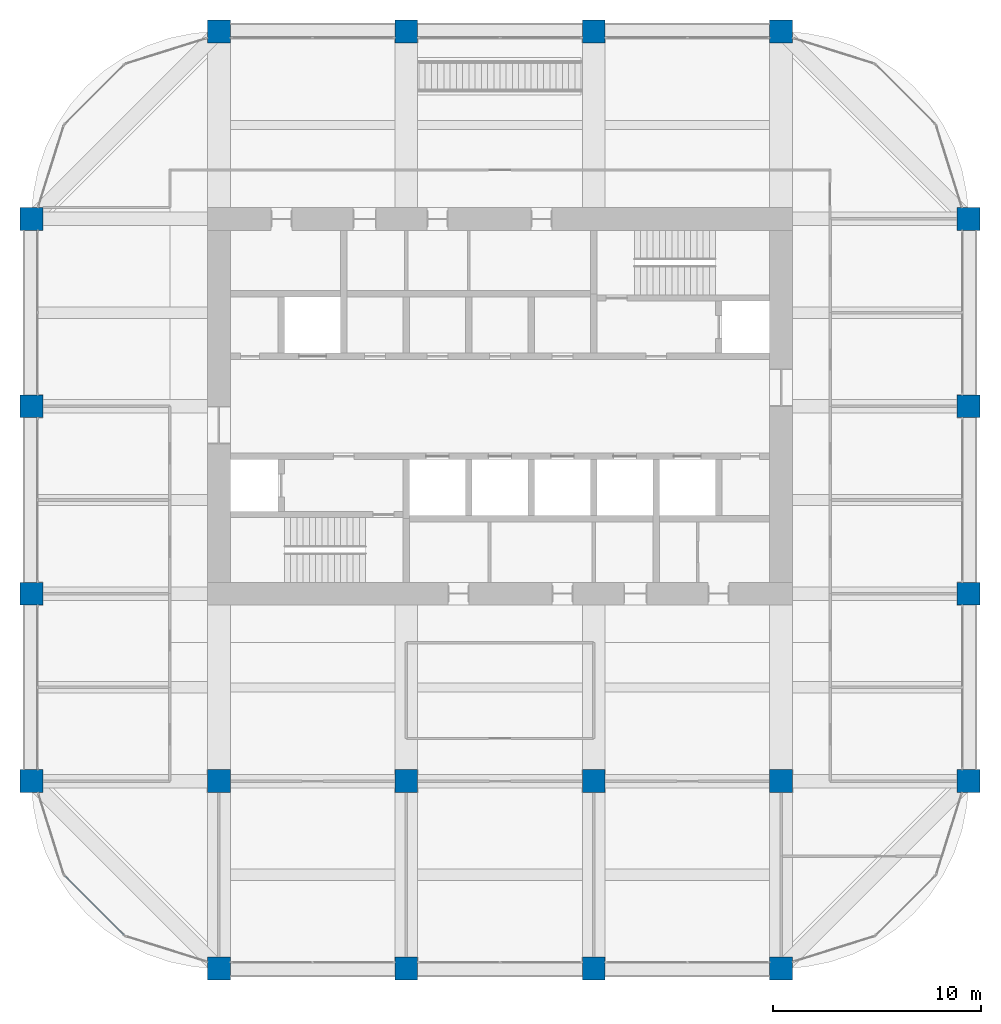
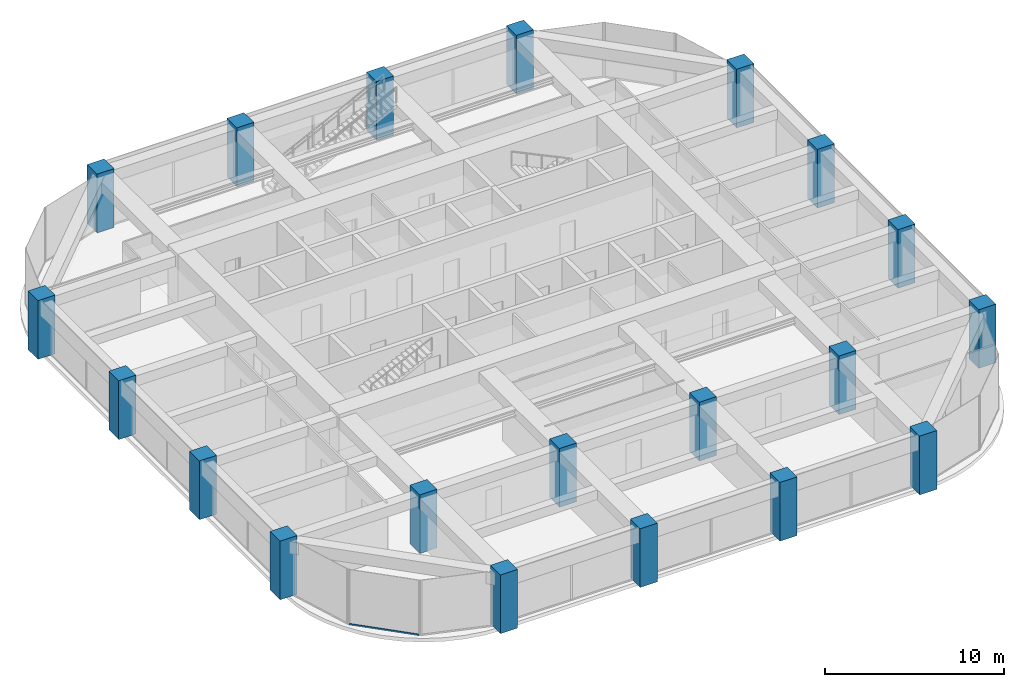
# One storey, part 1 of 45: 20 columns, 1 member, 1 element without a shape of its own.
"""IFC4 building model written with IfcOpenShell, lengths in metres."""

from ifc_helpers import new_model, si_unit, direction, frame, origin, origin_2d, place, context, subcontext, project, spatial, rectangle, hollow_rectangle, extrude, material, material_profile, profile_set, type_object, element, aggregate, save


model = new_model("IFC4")

# Units and contexts
model_context = context("Model", 3, precision=1e-05, world=origin(), true_north=direction((0.0, 1.0)))
body_context = subcontext(model_context, "Body", "Model", "MODEL_VIEW")
ifc_project = project(units=[si_unit("LENGTHUNIT", "METRE"), si_unit("AREAUNIT", "SQUARE_METRE"), si_unit("VOLUMEUNIT", "CUBIC_METRE"), si_unit("PLANEANGLEUNIT", "RADIAN"), si_unit("MASSUNIT", "GRAM", prefix="KILO")], contexts=[model_context])

# Site, building, storey
site_placement = place(None, origin())
site = spatial("IfcSite", under=ifc_project, at=site_placement, CompositionType="ELEMENT")
building_placement = place(site_placement, origin())
building = spatial("IfcBuilding", under=site, at=building_placement, Name="Zorevar Civic Tower", CompositionType="ELEMENT")
storey_placement = place(building_placement, frame((0.0, 0.0, 291.39990234375)))
storey = spatial("IfcBuildingStorey", under=building, at=storey_placement, Name="L71", CompositionType="ELEMENT", Elevation=291.39990234375)

# Columns
ifc_material_1 = material(Name="Concrete C50/60", Category="concrete")
ifc_material_profile_1 = material_profile(ifc_material_1, rectangle(XDim=1.10009765625, YDim=1.10009765625, at=origin_2d()), Name="RC 1100x1100")
ifc_profile_set_1 = profile_set([ifc_material_profile_1], Name="Concrete C50/60")
column_type = type_object("IfcColumnType", Name="Column RC 1100x1100", PredefinedType="COLUMN", material=ifc_profile_set_1)
for number, where, z_axis, x_axis, name in (
    (1, (9.0, 9.0, 0.0), (0.0, 0.0, 1.0), (1.0, 0.0, 0.0), "Column 3B L71"),
    (2, (9.0, 18.0, 0.0), (0.0, 0.0, 1.0), (1.0, 0.0, 0.0), "Column 3C L71"),
    (3, (9.0, 27.0, 0.0), (0.0, 0.0, 1.0), (1.0, 0.0, 0.0), "Column 3D L71"),
    (4, (9.0, 36.0, 0.0), (0.0, 0.0, 1.0), (1.0, 0.0, 0.0), "Column 3E L71"),
    (5, (18.0, 0.0, 0.0), (0.0, 0.0, 1.0), (1.0, 0.0, 0.0), "Column 4A L71"),
    (6, (18.0, 9.0, 0.0), (0.0, 0.0, 1.0), (1.0, 0.0, 0.0), "Column 4B L71"),
    (7, (18.0, 45.0, 0.0), (0.0, 0.0, 1.0), (1.0, 0.0, 0.0), "Column 4F L71"),
    (8, (27.0, 0.0, 0.0), (0.0, 0.0, 1.0), (1.0, 0.0, 0.0), "Column 5A L71"),
    (9, (27.0, 9.0, 0.0), (0.0, 0.0, 1.0), (1.0, 0.0, 0.0), "Column 5B L71"),
    (10, (27.0, 45.0, 0.0), (0.0, 0.0, 1.0), (1.0, 0.0, 0.0), "Column 5F L71"),
    (11, (36.0, 0.0, 0.0), (0.0, 0.0, 1.0), (1.0, 0.0, 0.0), "Column 6A L71"),
    (12, (36.0, 9.0, 0.0), (0.0, 0.0, 1.0), (1.0, 0.0, 0.0), "Column 6B L71"),
    (13, (36.0, 45.0, 0.0), (0.0, 0.0, 1.0), (1.0, 0.0, 0.0), "Column 6F L71"),
    (14, (45.0, 0.0, 0.0), (0.0, 0.0, 1.0), (1.0, 0.0, 0.0), "Column 7A L71"),
    (15, (45.0, 9.0, 0.0), (0.0, 0.0, 1.0), (1.0, 0.0, 0.0), "Column 7B L71"),
    (16, (45.0, 45.0, 0.0), (0.0, 0.0, 1.0), (1.0, 0.0, 0.0), "Column 7F L71"),
    (17, (54.0, 9.0, 0.0), (0.0, 0.0, 1.0), (1.0, 0.0, 0.0), "Column 8B L71"),
    (18, (54.0, 18.0, 0.0), (0.0, 0.0, 1.0), (1.0, 0.0, 0.0), "Column 8C L71"),
    (19, (54.0, 27.0, 0.0), (0.0, 0.0, 1.0), (1.0, 0.0, 0.0), "Column 8D L71"),
    (20, (54.0, 36.0, 0.0), (0.0, 0.0, 1.0), (1.0, 0.0, 0.0), "Column 8E L71"),
):
    element("IfcColumn", number, at=place(storey_placement, frame(where, z_axis=z_axis, x_axis=x_axis)), inside=storey, type_object=column_type, Name=name, PredefinedType="COLUMN", context=body_context, shape_type="SweptSolid", body=[
        extrude(rectangle(XDim=1.10009765625, YDim=1.10009765625, at=origin_2d()), origin(), (0.0, 0.0, 1.0), 4.0),
    ])

# Curtain wall, member
ifc_material_2 = material(Name="Dark grey solar-control glass in black aluminium frame", Category="aluminium")
curtain_wall_type = type_object("IfcCurtainWallType", Name="Curtain wall CW5 top zone", PredefinedType="NOTDEFINED", material=ifc_material_2)
curtain_wall_placement = place(storey_placement, origin())
curtain_wall = element("IfcCurtainWall", 21, at=curtain_wall_placement, inside=storey, type_object=curtain_wall_type, Name="CW5 L71", PredefinedType="NOTDEFINED")
ifc_material_3 = material(Name="Aluminium, black anodised", Category="aluminium")
ifc_material_profile_2 = material_profile(ifc_material_3, hollow_rectangle(XDim=0.06005859375, YDim=0.1201171875, WallThickness=0.0029296875, at=origin_2d()), Name="AL 120x60x3")
ifc_profile_set_2 = profile_set([ifc_material_profile_2], Name="Aluminium, black anodised")
member_type = type_object("IfcMemberType", Name="CW5 transom AL 120x60x3", PredefinedType="USERDEFINED", material=ifc_profile_set_2)
member_placement = place(storey_placement, frame((10.6015625, 4.44970703125, 0.030029296875), z_axis=(0.707106781187, -0.707106781187, 0.0), x_axis=(0.707106781187, 0.707106781187, 0.0)))
member = element("IfcMember", 22, at=member_placement, type_object=member_type, Name="CW5 sill transom", ObjectType="TRANSOM", PredefinedType="USERDEFINED", context=body_context, shape_type="SweptSolid", body=[
    extrude(hollow_rectangle(XDim=0.06005859375, YDim=0.1201171875, WallThickness=0.0029296875, at=origin_2d()), origin(), (0.0, 0.0, 1.0), 4.02783203125),
])
aggregate(curtain_wall, [member])

save(model, "model.ifc")
